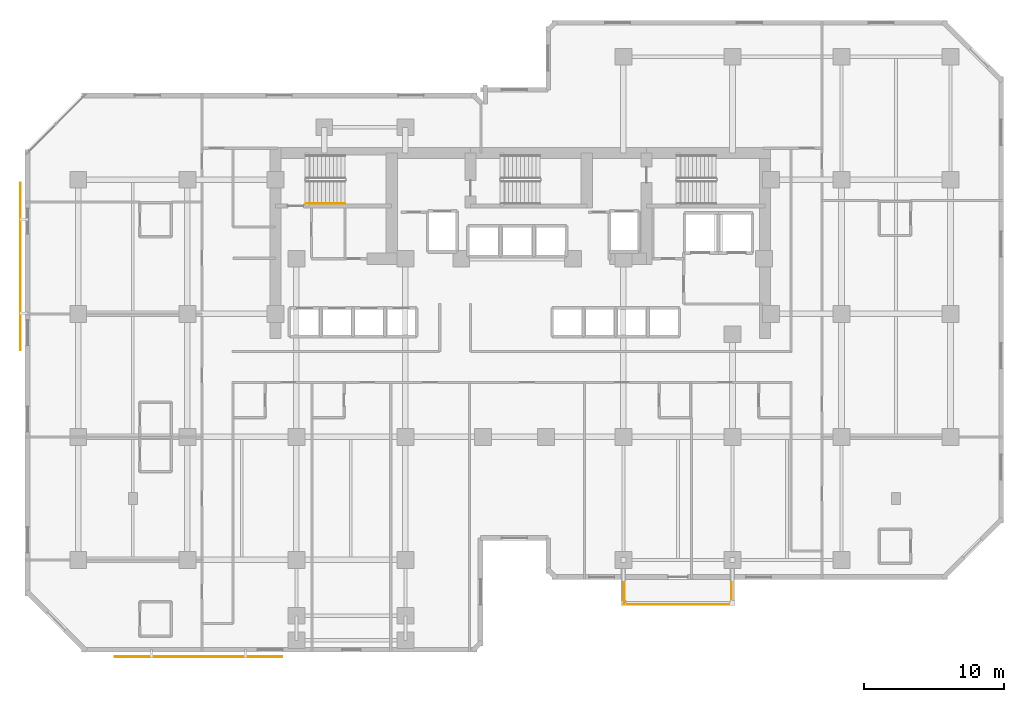
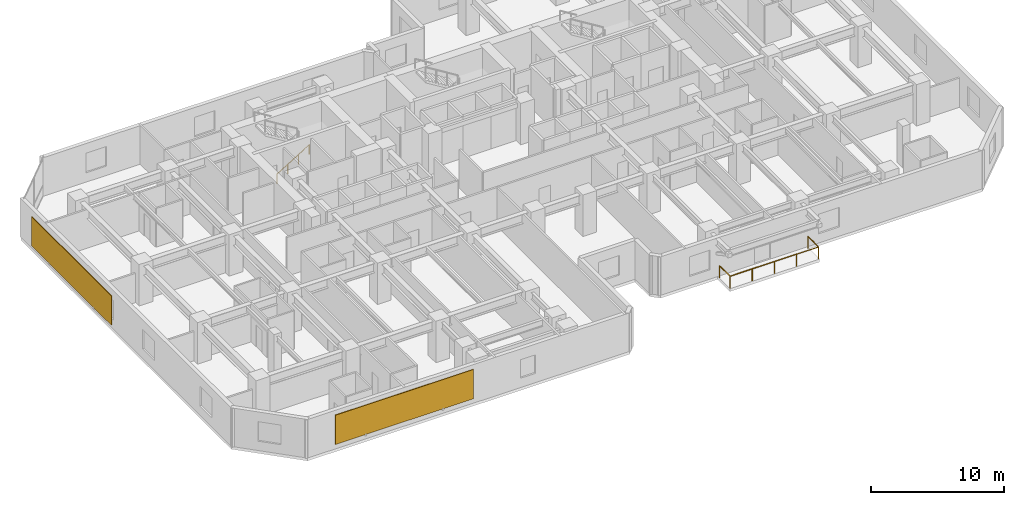
# One storey, part 12 of 13: 3 railings, 2 shading devices.
"""IFC4 building model written with IfcOpenShell, lengths in metres."""

from ifc_helpers import new_model, si_unit, direction, frame, origin, origin_2d, place, context, subcontext, project, spatial, rectangle, circle, extrude, material, layer, layer_set, type_object, element, save


model = new_model("IFC4")

# Units and contexts
model_context = context("Model", 3, precision=1e-05, world=origin(), true_north=direction((0.0, 1.0)))
body_context = subcontext(model_context, "Body", "Model", "MODEL_VIEW")
ifc_project = project(units=[si_unit("LENGTHUNIT", "METRE"), si_unit("AREAUNIT", "SQUARE_METRE"), si_unit("VOLUMEUNIT", "CUBIC_METRE"), si_unit("PLANEANGLEUNIT", "RADIAN"), si_unit("MASSUNIT", "GRAM", prefix="KILO")], contexts=[model_context])

# Site, building, storey
site_placement = place(None, origin())
site = spatial("IfcSite", under=ifc_project, at=site_placement, CompositionType="ELEMENT")
building_placement = place(site_placement, origin())
building = spatial("IfcBuilding", under=site, at=building_placement, Name="Kestravale Grand Hotel", CompositionType="ELEMENT")
storey_placement = place(building_placement, frame((0.0, 0.0, 88.0)))
storey = spatial("IfcBuildingStorey", under=building, at=storey_placement, Name="L21", CompositionType="ELEMENT", Elevation=88.0)

# Railings
ifc_material_1 = material(Name="Champagne-bronze stainless steel and laminated glass guard", Category="steel")
railing_type_1 = type_object("IfcRailingType", Name="RL-EXT-1100", PredefinedType="GUARDRAIL", material=ifc_material_1)
railing_1_placement = place(storey_placement, frame((46.860107421875, 8.010009765625, 0.0)))
element("IfcRailing", 1, at=railing_1_placement, inside=storey, type_object=railing_type_1, Name="L21 outdoor terrace guard 1", PredefinedType="GUARDRAIL", context=body_context, shape_type="SweptSolid", body=[
    extrude(circle(Radius=0.02392578125, at=origin_2d()), frame((0.0, 0.0, 1.09619140625), z_axis=(0.0, 1.0, 0.0), x_axis=(-1.0, 0.0, 0.0)), (0.0, 0.0, 1.0), 1.570068359375),
    extrude(circle(Radius=0.02099609375, at=origin_2d()), origin(), (0.0, 0.0, 1.0), 1.072021484375),
    extrude(circle(Radius=0.02099609375, at=origin_2d()), frame((0.0, 1.570068359375, 0.0)), (0.0, 0.0, 1.0), 1.072021484375),
])
railing_2_placement = place(storey_placement, frame((54.5400390625, 9.580078125, 0.0)))
element("IfcRailing", 2, at=railing_2_placement, inside=storey, type_object=railing_type_1, Name="L21 outdoor terrace guard 2", PredefinedType="GUARDRAIL", context=body_context, shape_type="SweptSolid", body=[
    extrude(circle(Radius=0.02392578125, at=origin_2d()), frame((0.0, 0.0, 1.09619140625), z_axis=(0.0, -1.0, 0.0), x_axis=(1.0, 0.0, 0.0)), (0.0, 0.0, 1.0), 1.570068359375),
    extrude(circle(Radius=0.02392578125, at=origin_2d()), frame((0.0, -1.570068359375, 1.09619140625), z_axis=(-1.0, 0.0, 0.0), x_axis=(0.0, -1.0, 0.0)), (0.0, 0.0, 1.0), 7.679931640625),
    extrude(circle(Radius=0.02099609375, at=origin_2d()), origin(), (0.0, 0.0, 1.0), 1.072021484375),
    extrude(circle(Radius=0.02099609375, at=origin_2d()), frame((0.0, -1.570068359375, 0.0)), (0.0, 0.0, 1.0), 1.072021484375),
    extrude(circle(Radius=0.02099609375, at=origin_2d()), frame((-1.919921875, -1.570068359375, 0.0)), (0.0, 0.0, 1.0), 1.072021484375),
    extrude(circle(Radius=0.02099609375, at=origin_2d()), frame((-3.83984375, -1.570068359375, 0.0)), (0.0, 0.0, 1.0), 1.072021484375),
    extrude(circle(Radius=0.02099609375, at=origin_2d()), frame((-5.760009765625, -1.570068359375, 0.0)), (0.0, 0.0, 1.0), 1.072021484375),
    extrude(circle(Radius=0.02099609375, at=origin_2d()), frame((-7.679931640625, -1.570068359375, 0.0)), (0.0, 0.0, 1.0), 1.072021484375),
])
ifc_material_2 = material(Name="Brushed stainless steel wall handrail", Category="steel")
railing_type_2 = type_object("IfcRailingType", Name="RL-ST-HND900", PredefinedType="HANDRAIL", material=ifc_material_2)
railing_3_placement = place(storey_placement, frame((24.080078125, 36.699951171875, 0.172607421875)))
element("IfcRailing", 3, at=railing_3_placement, inside=storey, type_object=railing_type_2, Name="L21 ST-1 stair handrail 1", PredefinedType="HANDRAIL", context=body_context, shape_type="SweptSolid", body=[
    extrude(circle(Radius=0.02392578125, at=origin_2d()), frame((0.0, 0.0, 0.8759765625), z_axis=(0.851069175582, 0.0, 0.525053576669), x_axis=(0.0, 1.0, 0.0)), (0.0, 0.0, 1.0), 3.289794921875),
    extrude(circle(Radius=0.02099609375, at=origin_2d()), origin(), (0.0, 0.0, 1.0), 0.851806640625),
    extrude(circle(Radius=0.02099609375, at=origin_2d()), frame((0.933349609375, 0.0, 0.57568359375)), (0.0, 0.0, 1.0), 0.851806640625),
    extrude(circle(Radius=0.02099609375, at=origin_2d()), frame((1.866455078125, 0.0, 1.151611328125)), (0.0, 0.0, 1.0), 0.851806640625),
    extrude(circle(Radius=0.02099609375, at=origin_2d()), frame((2.7998046875, 0.0, 1.727294921875)), (0.0, 0.0, 1.0), 0.851806640625),
])

# Shading devices
ifc_material_3 = material(Name="Perforated champagne-bronze aluminium and ceramic solar screen", Category="aluminium")
ifc_layer = layer(ifc_material_3, 0.06494140625)
ifc_layer_set = layer_set([ifc_layer], Name="SHD-SCR-CHEV")
shading_device_type = type_object("IfcShadingDeviceType", Name="SHD-SCR-CHEV", PredefinedType="USERDEFINED", material=ifc_layer_set)
for number, where, z_axis, x_axis, name in (
    (4, (16.39990234375, 4.260009765625, 0.699951171875), (0.0, 0.0, 1.0), (1.0, 0.0, 0.0), "L21 Perforated bronze ceramic chevron solar screen SCR-L21-01"),
    (5, (3.659912109375, 32.199951171875, 0.699951171875), (0.0, 0.0, 1.0), (0.0, -1.0, 0.0), "L21 Perforated bronze ceramic chevron solar screen SCR-L21-19"),
):
    element("IfcShadingDevice", number, at=place(storey_placement, frame(where, z_axis=z_axis, x_axis=x_axis)), inside=storey, type_object=shading_device_type, Name=name, ObjectType="SCREEN", PredefinedType="USERDEFINED", context=body_context, shape_type="SweptSolid", body=[
        extrude(rectangle(XDim=12.0, YDim=0.06494140625, at=origin_2d()), origin(), (0.0, 0.0, 1.0), 2.68994140625),
    ])

save(model, "model.ifc")
